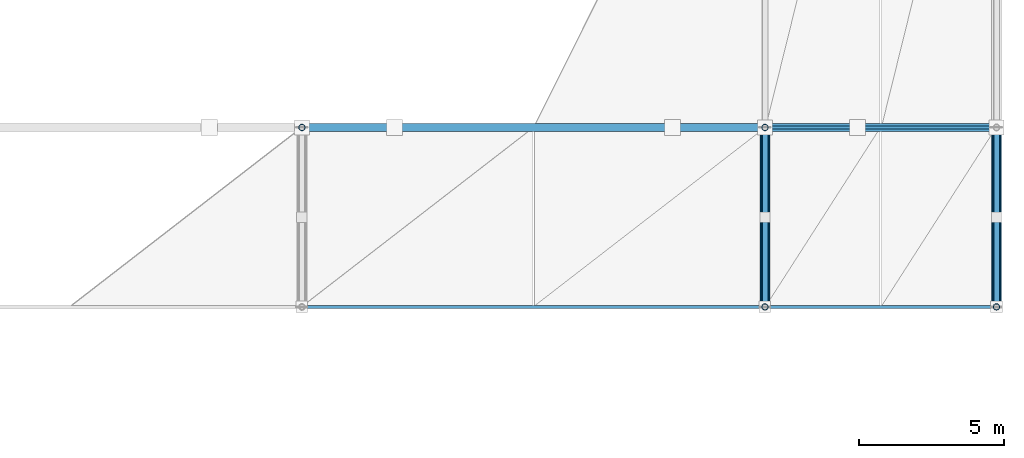
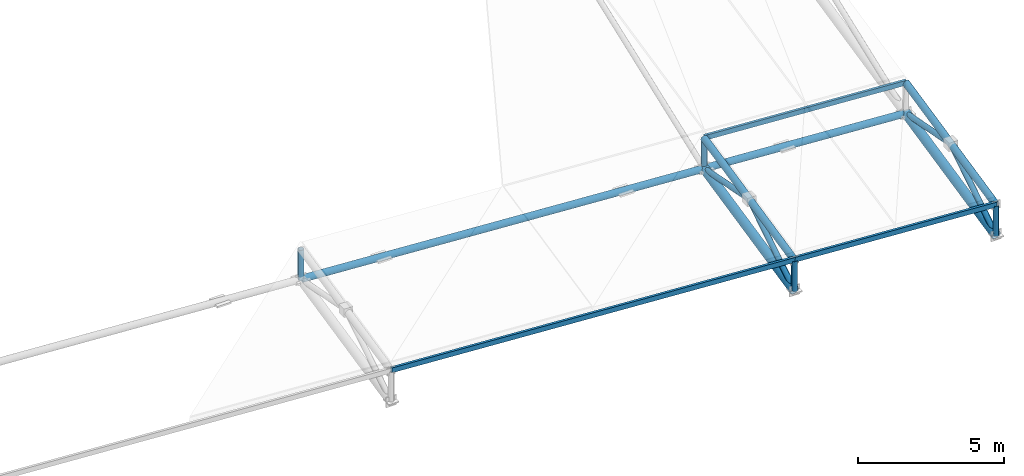
# One storey, part 38 of 83: 13 members, 4 beams.
"""IFC4 building model written with IfcOpenShell, lengths in metres."""

from ifc_helpers import new_model, si_unit, direction, frame, origin, origin_2d, place, context, subcontext, project, spatial, hollow_rectangle, hollow_circle, extrude, material, material_profile, profile_set, type_object, element, save


model = new_model("IFC4")

# Units and contexts
model_context = context("Model", 3, precision=1e-05, world=origin(), true_north=direction((0.0, 1.0)))
body_context = subcontext(model_context, "Body", "Model", "MODEL_VIEW")
ifc_project = project(units=[si_unit("LENGTHUNIT", "METRE"), si_unit("AREAUNIT", "SQUARE_METRE"), si_unit("VOLUMEUNIT", "CUBIC_METRE"), si_unit("PLANEANGLEUNIT", "RADIAN"), si_unit("MASSUNIT", "GRAM", prefix="KILO")], contexts=[model_context])

# Site, building, storey
site_placement = place(None, origin())
site = spatial("IfcSite", under=ifc_project, at=site_placement, CompositionType="ELEMENT")
building_placement = place(site_placement, origin())
building = spatial("IfcBuilding", under=site, at=building_placement, Name="Drelvath Fold Interchange", CompositionType="ELEMENT")
storey_placement = place(building_placement, frame((0.0, 0.0, 11.199951171875)))
storey = spatial("IfcBuildingStorey", under=building, at=storey_placement, Name="L02", CompositionType="ELEMENT", Elevation=11.199951171875)

# Members
ifc_material = material(Name="Steel ASTM A500 Grade C", Category="steel")
ifc_material_profile_1 = material_profile(ifc_material, hollow_rectangle(XDim=0.10205078125, YDim=0.202880859375, WallThickness=0.00732421875, at=origin_2d()), Name="HSS8X4X5/16")
ifc_profile_set_1 = profile_set([ifc_material_profile_1], Name="Steel ASTM A500 Grade C")
member_type_1 = type_object("IfcMemberType", Name="PR-HSS203", PredefinedType="PURLIN", material=ifc_profile_set_1)
member_1_placement = place(storey_placement, frame((150.0, 20.800048828125, 3.56298828125), z_axis=(0.998197699277, 0.0, -0.060011275256), x_axis=(0.0, 1.0, 0.0)))
element("IfcMember", 1, at=member_1_placement, inside=storey, type_object=member_type_1, Name="L02 Space frame canopy purlin PR-HSS203", PredefinedType="PURLIN", context=body_context, shape_type="SweptSolid", body=[
    extrude(hollow_rectangle(XDim=0.10205078125, YDim=0.202880859375, WallThickness=0.00732421875, at=origin_2d()), origin(), (0.0, 0.0, 1.0), 16.02880859375),
])
for number, where, z_axis, x_axis, name in (
    (2, (166.0, 20.800048828125, 2.60107421875), (0.998190392734, 0.0, -0.060132685402), (0.0, 1.0, 0.0), "L02 Space frame canopy purlin PR-HSS203"),
    (3, (166.0, 27.0, 3.9521484375), (0.998195874016, 0.0, -0.060041628042), (0.0, 1.0, 0.0), "L02 Space frame canopy purlin PR-HSS203"),
):
    element("IfcMember", number, at=place(storey_placement, frame(where, z_axis=z_axis, x_axis=x_axis)), inside=storey, type_object=member_type_1, Name=name, PredefinedType="PURLIN", context=body_context, shape_type="SweptSolid", body=[
        extrude(hollow_rectangle(XDim=0.10205078125, YDim=0.202880859375, WallThickness=0.00732421875, at=origin_2d()), origin(), (0.0, 0.0, 1.0), 8.014404296875),
    ])
ifc_material_profile_2 = material_profile(ifc_material, hollow_circle(Radius=0.136474609375, WallThickness=0.01171875, at=origin_2d()), Name="HSS10.750X0.500")
ifc_profile_set_2 = profile_set([ifc_material_profile_2], Name="Steel ASTM A500 Grade C")
member_type_2 = type_object("IfcMemberType", Name="SF-CHD273", PredefinedType="CHORD", material=ifc_profile_set_2)
member_2_placement = place(storey_placement, frame((166.0, 20.800048828125, 2.569091796875), z_axis=(0.0, 0.977069636285, 0.212919998708), x_axis=(-1.0, 0.0, 0.0)))
element("IfcMember", 4, at=member_2_placement, inside=storey, type_object=member_type_2, Name="L02 Space frame roof truss upper chord SF-CHD273", PredefinedType="CHORD", context=body_context, shape_type="SweptSolid", body=[
    extrude(hollow_circle(Radius=0.136474609375, WallThickness=0.01171875, at=origin_2d()), origin(), (0.0, 0.0, 1.0), 6.345458984375),
])
member_3_placement = place(storey_placement, frame((174.0, 20.800048828125, 2.087158203125), z_axis=(0.0, 0.977045617988, 0.213030186525), x_axis=(-1.0, 0.0, 0.0)))
element("IfcMember", 5, at=member_3_placement, inside=storey, type_object=member_type_2, Name="L02 Space frame roof truss upper chord SF-CHD273", PredefinedType="CHORD", context=body_context, shape_type="SweptSolid", body=[
    extrude(hollow_circle(Radius=0.136474609375, WallThickness=0.01171875, at=origin_2d()), origin(), (0.0, 0.0, 1.0), 6.345703125),
])

# Beams
ifc_material_profile_3 = material_profile(ifc_material, hollow_circle(Radius=0.177978515625, WallThickness=0.01171875, at=origin_2d()), Name="HSS14.000X0.500")
ifc_profile_set_3 = profile_set([ifc_material_profile_3], Name="Steel ASTM A500 Grade C")
beam_type_1 = type_object("IfcBeamType", Name="SF-RIB356", PredefinedType="BEAM", material=ifc_profile_set_3)
beam_1_placement = place(storey_placement, frame((166.0, 20.800048828125, 1.299072265625), z_axis=(0.0, 0.977069636285, 0.212919998708), x_axis=(-1.0, 0.0, 0.0)))
element("IfcBeam", 6, at=beam_1_placement, inside=storey, type_object=beam_type_1, Name="Space frame roof truss main rib chord EAST", PredefinedType="BEAM", context=body_context, shape_type="SweptSolid", body=[
    extrude(hollow_circle(Radius=0.177978515625, WallThickness=0.01171875, at=origin_2d()), origin(), (0.0, 0.0, 1.0), 6.345458984375),
])
beam_2_placement = place(storey_placement, frame((174.0, 20.800048828125, 0.817138671875), z_axis=(0.0, 0.977045617988, 0.213030186525), x_axis=(-1.0, 0.0, 0.0)))
element("IfcBeam", 7, at=beam_2_placement, inside=storey, type_object=beam_type_1, Name="Space frame roof truss main rib chord EAST", PredefinedType="BEAM", context=body_context, shape_type="SweptSolid", body=[
    extrude(hollow_circle(Radius=0.177978515625, WallThickness=0.01171875, at=origin_2d()), origin(), (0.0, 0.0, 1.0), 6.345703125),
])
ifc_material_profile_4 = material_profile(ifc_material, hollow_circle(Radius=0.136474609375, WallThickness=0.01171875, at=origin_2d()), Name="HSS10.750X0.500")
ifc_profile_set_4 = profile_set([ifc_material_profile_4], Name="Steel ASTM A500 Grade C")
beam_type_2 = type_object("IfcBeamType", Name="SF-TIE273", PredefinedType="BEAM", material=ifc_profile_set_4)
beam_3_placement = place(storey_placement, frame((150.050048828125, 27.0, 3.612060546875), z_axis=(0.998174997398, 0.0, -0.060387702143), x_axis=(0.0, 1.0, 0.0)))
element("IfcBeam", 8, at=beam_3_placement, inside=storey, type_object=beam_type_2, Name="Space frame roof truss longitudinal tie EAST", PredefinedType="BEAM", context=body_context, shape_type="SweptSolid", body=[
    extrude(hollow_circle(Radius=0.136474609375, WallThickness=0.01171875, at=origin_2d()), origin(), (0.0, 0.0, 1.0), 15.928955078125),
])
beam_4_placement = place(storey_placement, frame((166.050048828125, 27.0, 2.650146484375), z_axis=(0.99814999272, 0.0, -0.060799605527), x_axis=(0.0, 1.0, 0.0)))
element("IfcBeam", 9, at=beam_4_placement, inside=storey, type_object=beam_type_2, Name="Space frame roof truss longitudinal tie EAST", PredefinedType="BEAM", context=body_context, shape_type="SweptSolid", body=[
    extrude(hollow_circle(Radius=0.136474609375, WallThickness=0.01171875, at=origin_2d()), origin(), (0.0, 0.0, 1.0), 7.91455078125),
])

# Members
ifc_material_profile_5 = material_profile(ifc_material, hollow_circle(Radius=0.109619140625, WallThickness=0.0087890625, at=origin_2d()), Name="HSS8.625X0.375")
ifc_profile_set_5 = profile_set([ifc_material_profile_5], Name="Steel ASTM A500 Grade C")
member_type_3 = type_object("IfcMemberType", Name="SF-WEB219", PredefinedType="BRACE", material=ifc_profile_set_5)
member_4_placement = place(storey_placement, frame((150.0, 27.0, 3.612060546875), z_axis=(0.0, 0.0, 1.0), x_axis=(1.0, 0.0, 0.0)))
element("IfcMember", 10, at=member_4_placement, inside=storey, type_object=member_type_3, Name="L02 Space frame roof truss web brace SF-WEB219", PredefinedType="BRACE", context=body_context, shape_type="SweptSolid", body=[
    extrude(hollow_circle(Radius=0.109619140625, WallThickness=0.0087890625, at=origin_2d()), origin(), (0.0, 0.0, 1.0), 1.27001953125),
])
member_5_placement = place(storey_placement, frame((166.0, 20.800048828125, 1.299072265625), z_axis=(0.0, 0.84693609346, 0.531694699612), x_axis=(-1.0, 0.0, 0.0)))
element("IfcMember", 11, at=member_5_placement, inside=storey, type_object=member_type_3, Name="L02 Space frame roof truss web brace SF-WEB219", PredefinedType="BRACE", context=body_context, shape_type="SweptSolid", body=[
    extrude(hollow_circle(Radius=0.109619140625, WallThickness=0.0087890625, at=origin_2d()), origin(), (0.0, 0.0, 1.0), 3.66015625),
])
member_6_placement = place(storey_placement, frame((166.0, 23.89990234375, 3.2451171875), z_axis=(0.0, 0.982076989305, -0.188480203413), x_axis=(-1.0, 0.0, 0.0)))
element("IfcMember", 12, at=member_6_placement, inside=storey, type_object=member_type_3, Name="L02 Space frame roof truss web brace SF-WEB219", PredefinedType="BRACE", context=body_context, shape_type="SweptSolid", body=[
    extrude(hollow_circle(Radius=0.109619140625, WallThickness=0.0087890625, at=origin_2d()), origin(), (0.0, 0.0, 1.0), 3.15673828125),
])
for number, where, z_axis, x_axis, name in (
    (13, (166.0, 20.800048828125, 1.299072265625), (0.0, 0.0, 1.0), (1.0, 0.0, 0.0), "L02 Space frame roof truss web brace SF-WEB219"),
    (14, (166.0, 27.0, 2.650146484375), (0.0, 0.0, 1.0), (1.0, 0.0, 0.0), "L02 Space frame roof truss web brace SF-WEB219"),
):
    element("IfcMember", number, at=place(storey_placement, frame(where, z_axis=z_axis, x_axis=x_axis)), inside=storey, type_object=member_type_3, Name=name, PredefinedType="BRACE", context=body_context, shape_type="SweptSolid", body=[
        extrude(hollow_circle(Radius=0.109619140625, WallThickness=0.0087890625, at=origin_2d()), origin(), (0.0, 0.0, 1.0), 1.27001953125),
    ])
member_7_placement = place(storey_placement, frame((174.0, 20.800048828125, 0.817138671875), z_axis=(0.0, 0.846966130584, 0.531646850497), x_axis=(-1.0, 0.0, 0.0)))
element("IfcMember", 15, at=member_7_placement, inside=storey, type_object=member_type_3, Name="L02 Space frame roof truss web brace SF-WEB219", PredefinedType="BRACE", context=body_context, shape_type="SweptSolid", body=[
    extrude(hollow_circle(Radius=0.109619140625, WallThickness=0.0087890625, at=origin_2d()), origin(), (0.0, 0.0, 1.0), 3.659912109375),
])
member_8_placement = place(storey_placement, frame((174.0, 23.89990234375, 2.762939453125), z_axis=(0.0, 0.982134211284, -0.188181803123), x_axis=(-1.0, 0.0, 0.0)))
element("IfcMember", 16, at=member_8_placement, inside=storey, type_object=member_type_3, Name="L02 Space frame roof truss web brace SF-WEB219", PredefinedType="BRACE", context=body_context, shape_type="SweptSolid", body=[
    extrude(hollow_circle(Radius=0.109619140625, WallThickness=0.0087890625, at=origin_2d()), origin(), (0.0, 0.0, 1.0), 3.156494140625),
])
member_9_placement = place(storey_placement, frame((174.0, 20.800048828125, 0.817138671875), z_axis=(0.0, 0.0, 1.0), x_axis=(1.0, 0.0, 0.0)))
element("IfcMember", 17, at=member_9_placement, inside=storey, type_object=member_type_3, Name="L02 Space frame roof truss web brace SF-WEB219", PredefinedType="BRACE", context=body_context, shape_type="SweptSolid", body=[
    extrude(hollow_circle(Radius=0.109619140625, WallThickness=0.0087890625, at=origin_2d()), origin(), (0.0, 0.0, 1.0), 1.27001953125),
])

save(model, "model.ifc")
